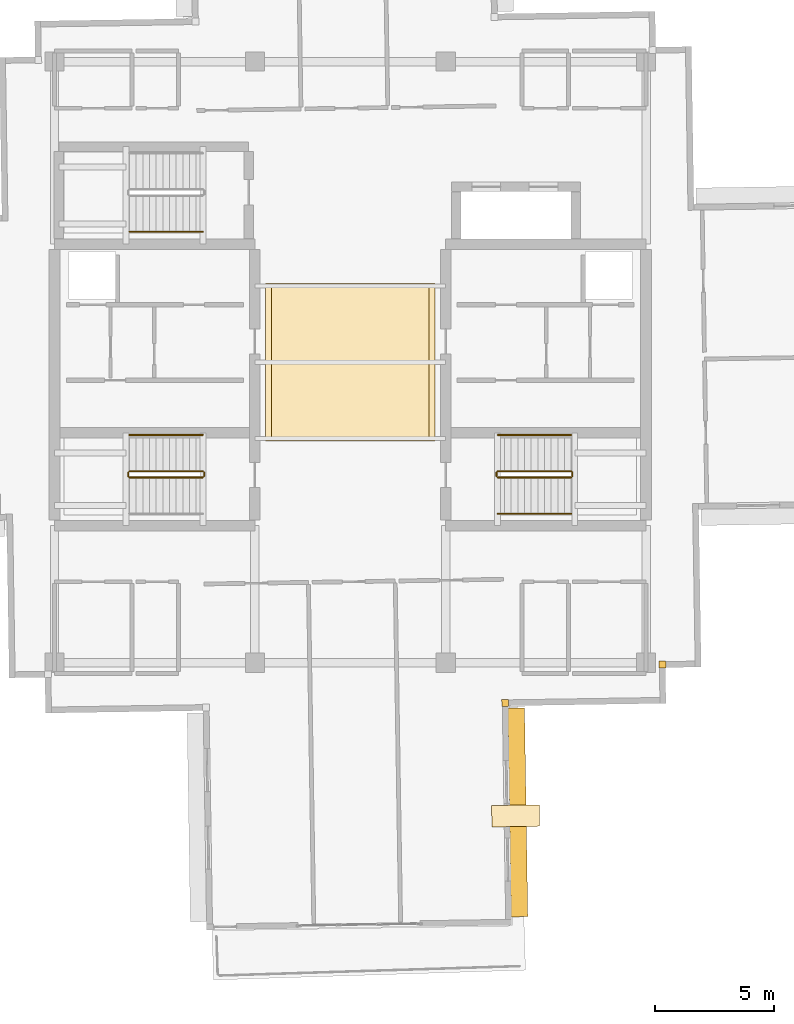
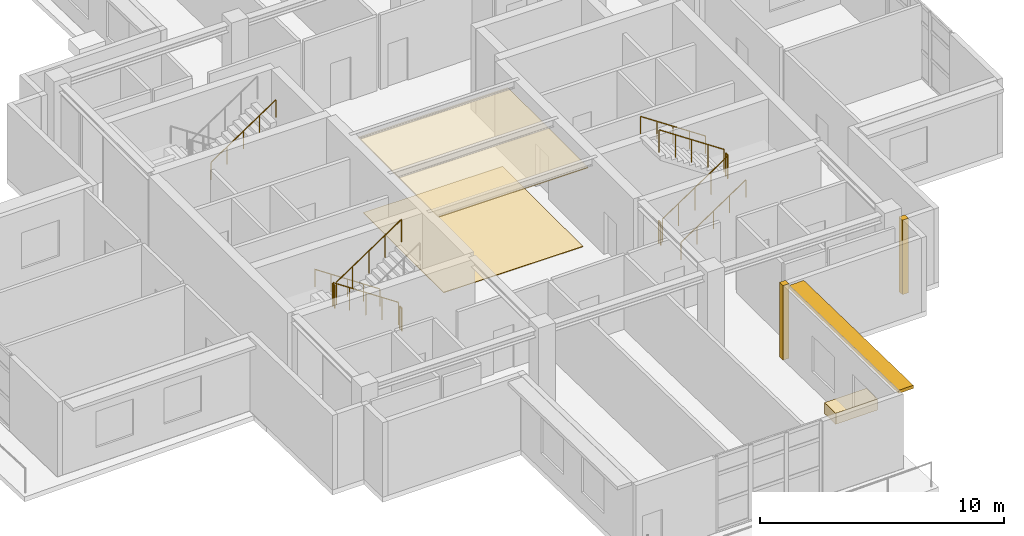
# One storey, part 15 of 18: 12 railings, 5 coverings, 1 shading device.
"""IFC4 building model written with IfcOpenShell, lengths in metres."""

from ifc_helpers import new_model, si_unit, direction, frame, origin, origin_with_axes, origin_2d, place, context, subcontext, project, spatial, rectangle, circle, extrude, material, layer, layer_set, type_object, element, save


model = new_model("IFC4")

# Units and contexts
model_context = context("Model", 3, precision=1e-05, world=origin(), true_north=direction((0.0, 1.0)))
body_context = subcontext(model_context, "Body", "Model", "MODEL_VIEW")
ifc_project = project(units=[si_unit("LENGTHUNIT", "METRE"), si_unit("AREAUNIT", "SQUARE_METRE"), si_unit("VOLUMEUNIT", "CUBIC_METRE"), si_unit("PLANEANGLEUNIT", "RADIAN"), si_unit("MASSUNIT", "GRAM", prefix="KILO")], contexts=[model_context])

# Site, building, storey
site_placement = place(None, origin())
site = spatial("IfcSite", under=ifc_project, at=site_placement, CompositionType="ELEMENT")
building_placement = place(site_placement, origin())
building = spatial("IfcBuilding", under=site, at=building_placement, Name="Qingluan Cross Belvedere", CompositionType="ELEMENT")
storey_placement = place(building_placement, frame((0.0, 0.0, 303.89990234375)))
storey = spatial("IfcBuildingStorey", under=building, at=storey_placement, Name="L75", CompositionType="ELEMENT", Elevation=303.89990234375)

# Coverings
ifc_material_1 = material(Name="Perforated gypsum acoustic ceiling board")
ifc_layer_1 = layer(ifc_material_1, 0.0400390625, Name="AcousticLobbyCeiling_40")
ifc_layer_set_1 = layer_set([ifc_layer_1], Name="Perforated gypsum acoustic ceiling board")
covering_type_1 = type_object("IfcCoveringType", Name="AcousticLobbyCeiling_40", PredefinedType="CEILING", material=ifc_layer_set_1)
covering_1_placement = place(storey_placement, frame((0.0, 0.0, 3.860107421875), z_axis=(0.0, 0.0, 1.0), x_axis=(1.0, 0.0, 0.0)))
element("IfcCovering", 1, at=covering_1_placement, inside=storey, type_object=covering_type_1, Name="Central lobby acoustic ceiling L75", PredefinedType="CEILING", context=body_context, shape_type="SweptSolid", body=[
    extrude(rectangle(XDim=7.10009765625, YDim=6.60009765625, at=origin_2d()), origin(), (0.0, 0.0, 1.0), 0.0400390625),
])
ifc_material_2 = material(Name="Precast concrete C45", Category="concrete")
ifc_layer_2 = layer(ifc_material_2, 0.1201171875, Name="ConcreteSpandrelCladding_120")
ifc_layer_set_2 = layer_set([ifc_layer_2], Name="Precast concrete C45")
covering_type_2 = type_object("IfcCoveringType", Name="ConcreteSpandrelCladding_120", PredefinedType="CLADDING", material=ifc_layer_set_2)
for number, where, z_axis, x_axis, name in (
    (2, (13.080810546875, -12.676025390625, 0.0), (0.0, 0.0, 1.0), (0.999876632482, 0.015707317312, 0.0), "Corner closure L75-SE1"),
    (3, (6.4951171875, -14.27978515625, 0.0), (0.0, 0.0, 1.0), (0.999876632482, 0.015707317312, 0.0), "Corner closure L75-SE2"),
):
    element("IfcCovering", number, at=place(storey_placement, frame(where, z_axis=z_axis, x_axis=x_axis)), inside=storey, type_object=covering_type_2, Name=name, PredefinedType="CLADDING", context=body_context, shape_type="SweptSolid", body=[
        extrude(rectangle(XDim=0.2900390625, YDim=0.2900390625, at=origin_2d()), origin(), (0.0, 0.0, 1.0), 3.72998046875),
    ])

# Shading device
ifc_material_3 = material(Name="Precast concrete C45", Category="concrete")
ifc_layer_3 = layer(ifc_material_3, 0.139892578125, Name="ConcreteSunshadeBand_700")
ifc_layer_set_3 = layer_set([ifc_layer_3], Name="Precast concrete C45")
shading_device_type = type_object("IfcShadingDeviceType", Name="ConcreteSunshadeBand_700", PredefinedType="USERDEFINED", material=ifc_layer_set_3)
shading_device_placement = place(storey_placement, frame((7.022216796875, -18.8720703125, 3.55029296875), z_axis=(0.0, 0.0, 1.0), x_axis=(-0.01569831898, 0.999876773798, 0.0)))
element("IfcShadingDevice", 4, at=shading_device_placement, inside=storey, type_object=shading_device_type, Name="Concrete SUNSHADE L75-SB", ObjectType="SUNSHADE", PredefinedType="USERDEFINED", context=body_context, shape_type="SweptSolid", body=[
    extrude(rectangle(XDim=8.75, YDim=0.699951171875, at=origin_2d()), origin(), (0.0, 0.0, 1.0), 0.159912109375),
])

# Covering
ifc_material_4 = material(Name="Honed Hubei grey granite stone flooring", Category="masonry")
ifc_layer_4 = layer(ifc_material_4, 0.030029296875, Name="GraniteLobbyFlooring_30")
ifc_layer_set_4 = layer_set([ifc_layer_4], Name="Honed Hubei grey granite stone flooring")
covering_type_3 = type_object("IfcCoveringType", Name="GraniteLobbyFlooring_30", PredefinedType="FLOORING", material=ifc_layer_set_4)
covering_2_placement = place(storey_placement, origin_with_axes())
element("IfcCovering", 5, at=covering_2_placement, inside=storey, type_object=covering_type_3, Name="Central lobby granite flooring L75", PredefinedType="FLOORING", context=body_context, shape_type="SweptSolid", body=[
    extrude(rectangle(XDim=6.60009765625, YDim=6.60009765625, at=origin_2d()), origin(), (0.0, 0.0, 1.0), 0.030029296875),
])

# Railings
ifc_material_5 = material(Name="Brushed stainless steel tubular handrail", Category="steel")
railing_type_1 = type_object("IfcRailingType", Name="StairPitchHandrail_900", PredefinedType="HANDRAIL", material=ifc_material_5)
railing_1_placement = place(storey_placement, frame((-6.179931640625, -3.050048828125, 0.1875)))
element("IfcRailing", 6, at=railing_1_placement, inside=storey, type_object=railing_type_1, Name="L75 ST1 stair handrail 1", PredefinedType="HANDRAIL", context=body_context, shape_type="SweptSolid", body=[
    extrude(circle(Radius=0.02392578125, at=origin_2d()), frame((0.0, 0.0, 0.8759765625), z_axis=(-0.830913701846, 0.0, 0.55640131208), x_axis=(0.0, -1.0, 0.0)), (0.0, 0.0, 1.0), 3.706787109375),
    extrude(circle(Radius=0.02099609375, at=origin_2d()), origin(), (0.0, 0.0, 1.0), 0.851806640625),
    extrude(circle(Radius=0.02099609375, at=origin_2d()), frame((-0.77001953125, 0.0, 0.515625)), (0.0, 0.0, 1.0), 0.851806640625),
    extrude(circle(Radius=0.02099609375, at=origin_2d()), frame((-1.5400390625, 0.0, 1.03125)), (0.0, 0.0, 1.0), 0.851806640625),
    extrude(circle(Radius=0.02099609375, at=origin_2d()), frame((-2.31005859375, 0.0, 1.546875)), (0.0, 0.0, 1.0), 0.851806640625),
    extrude(circle(Radius=0.02099609375, at=origin_2d()), frame((-3.080078125, 0.0, 2.0625)), (0.0, 0.0, 1.0), 0.851806640625),
])
railing_2_placement = place(storey_placement, frame((6.179931640625, -6.35009765625, 0.1875)))
element("IfcRailing", 7, at=railing_2_placement, inside=storey, type_object=railing_type_1, Name="L75 ST2 stair handrail 1", PredefinedType="HANDRAIL", context=body_context, shape_type="SweptSolid", body=[
    extrude(circle(Radius=0.02392578125, at=origin_2d()), frame((0.0, 0.0, 0.8759765625), z_axis=(0.830913701846, 0.0, 0.55640131208), x_axis=(0.0, 1.0, 0.0)), (0.0, 0.0, 1.0), 3.706787109375),
    extrude(circle(Radius=0.02099609375, at=origin_2d()), origin(), (0.0, 0.0, 1.0), 0.851806640625),
    extrude(circle(Radius=0.02099609375, at=origin_2d()), frame((0.77001953125, 0.0, 0.515625)), (0.0, 0.0, 1.0), 0.851806640625),
    extrude(circle(Radius=0.02099609375, at=origin_2d()), frame((1.5400390625, 0.0, 1.03125)), (0.0, 0.0, 1.0), 0.851806640625),
    extrude(circle(Radius=0.02099609375, at=origin_2d()), frame((2.31005859375, 0.0, 1.546875)), (0.0, 0.0, 1.0), 0.851806640625),
    extrude(circle(Radius=0.02099609375, at=origin_2d()), frame((3.080078125, 0.0, 2.0625)), (0.0, 0.0, 1.0), 0.851806640625),
])
railing_3_placement = place(storey_placement, frame((9.260009765625, -3.050048828125, 2.4375)))
element("IfcRailing", 8, at=railing_3_placement, inside=storey, type_object=railing_type_1, Name="L75 ST2 stair handrail 2", PredefinedType="HANDRAIL", context=body_context, shape_type="SweptSolid", body=[
    extrude(circle(Radius=0.02392578125, at=origin_2d()), frame((0.0, 0.0, 0.8759765625), z_axis=(-0.830913701846, 0.0, 0.55640131208), x_axis=(0.0, -1.0, 0.0)), (0.0, 0.0, 1.0), 3.706787109375),
    extrude(circle(Radius=0.02099609375, at=origin_2d()), origin(), (0.0, 0.0, 1.0), 0.851806640625),
    extrude(circle(Radius=0.02099609375, at=origin_2d()), frame((-0.77001953125, 0.0, 0.515625)), (0.0, 0.0, 1.0), 0.851806640625),
    extrude(circle(Radius=0.02099609375, at=origin_2d()), frame((-1.5400390625, 0.0, 1.03125)), (0.0, 0.0, 1.0), 0.851806640625),
    extrude(circle(Radius=0.02099609375, at=origin_2d()), frame((-2.31005859375, 0.0, 1.546875)), (0.0, 0.0, 1.0), 0.851806640625),
    extrude(circle(Radius=0.02099609375, at=origin_2d()), frame((-3.080078125, 0.0, 2.0625)), (0.0, 0.0, 1.0), 0.851806640625),
])
railing_4_placement = place(storey_placement, frame((-9.260009765625, 5.469970703125, 2.4375)))
element("IfcRailing", 9, at=railing_4_placement, inside=storey, type_object=railing_type_1, Name="L75 ST3 stair handrail 2", PredefinedType="HANDRAIL", context=body_context, shape_type="SweptSolid", body=[
    extrude(circle(Radius=0.02392578125, at=origin_2d()), frame((0.0, 0.0, 0.8759765625), z_axis=(0.830913701846, 0.0, 0.55640131208), x_axis=(0.0, 1.0, 0.0)), (0.0, 0.0, 1.0), 3.706787109375),
    extrude(circle(Radius=0.02099609375, at=origin_2d()), origin(), (0.0, 0.0, 1.0), 0.851806640625),
    extrude(circle(Radius=0.02099609375, at=origin_2d()), frame((0.77001953125, 0.0, 0.515625)), (0.0, 0.0, 1.0), 0.851806640625),
    extrude(circle(Radius=0.02099609375, at=origin_2d()), frame((1.5400390625, 0.0, 1.03125)), (0.0, 0.0, 1.0), 0.851806640625),
    extrude(circle(Radius=0.02099609375, at=origin_2d()), frame((2.31005859375, 0.0, 1.546875)), (0.0, 0.0, 1.0), 0.851806640625),
    extrude(circle(Radius=0.02099609375, at=origin_2d()), frame((3.080078125, 0.0, 2.0625)), (0.0, 0.0, 1.0), 0.851806640625),
])
ifc_material_6 = material(Name="Painted steel stair well guard", Category="steel")
railing_type_2 = type_object("IfcRailingType", Name="StairWellGuard_1150", PredefinedType="BALUSTRADE", material=ifc_material_6)
railing_5_placement = place(storey_placement, frame((-6.179931640625, -4.570068359375, 0.1875)))
element("IfcRailing", 10, at=railing_5_placement, inside=storey, type_object=railing_type_2, Name="L75 ST1 stair guard 1", PredefinedType="BALUSTRADE", context=body_context, shape_type="SweptSolid", body=[
    extrude(circle(Radius=0.02392578125, at=origin_2d()), frame((0.0, 0.0, 1.1259765625), z_axis=(-0.830913701846, 0.0, 0.55640131208), x_axis=(0.0, -1.0, 0.0)), (0.0, 0.0, 1.0), 3.706787109375),
    extrude(circle(Radius=0.02099609375, at=origin_2d()), origin(), (0.0, 0.0, 1.0), 1.101806640625),
    extrude(circle(Radius=0.02099609375, at=origin_2d()), frame((-0.77001953125, 0.0, 0.515625)), (0.0, 0.0, 1.0), 1.101806640625),
    extrude(circle(Radius=0.02099609375, at=origin_2d()), frame((-1.5400390625, 0.0, 1.03125)), (0.0, 0.0, 1.0), 1.101806640625),
    extrude(circle(Radius=0.02099609375, at=origin_2d()), frame((-2.31005859375, 0.0, 1.546875)), (0.0, 0.0, 1.0), 1.101806640625),
    extrude(circle(Radius=0.02099609375, at=origin_2d()), frame((-3.080078125, 0.0, 2.0625)), (0.0, 0.0, 1.0), 1.101806640625),
])
railing_6_placement = place(storey_placement, frame((-9.31005859375, -4.6201171875, 2.25)))
element("IfcRailing", 11, at=railing_6_placement, inside=storey, type_object=railing_type_2, Name="L75 ST1 stair guard 2", PredefinedType="BALUSTRADE", context=body_context, shape_type="SweptSolid", body=[
    extrude(circle(Radius=0.02392578125, at=origin_2d()), frame((0.0, 0.0, 1.1259765625), z_axis=(0.0, -1.0, 0.0), x_axis=(1.0, 0.0, 0.0)), (0.0, 0.0, 1.0), 0.159912109375),
    extrude(circle(Radius=0.02099609375, at=origin_2d()), origin(), (0.0, 0.0, 1.0), 1.101806640625),
    extrude(circle(Radius=0.02099609375, at=origin_2d()), frame((0.0, -0.159912109375, 0.0)), (0.0, 0.0, 1.0), 1.101806640625),
])
railing_7_placement = place(storey_placement, frame((-9.260009765625, -4.830078125, 2.4375)))
element("IfcRailing", 12, at=railing_7_placement, inside=storey, type_object=railing_type_2, Name="L75 ST1 stair guard 3", PredefinedType="BALUSTRADE", context=body_context, shape_type="SweptSolid", body=[
    extrude(circle(Radius=0.02392578125, at=origin_2d()), frame((0.0, 0.0, 1.1259765625), z_axis=(0.830913701846, 0.0, 0.55640131208), x_axis=(0.0, 1.0, 0.0)), (0.0, 0.0, 1.0), 3.706787109375),
    extrude(circle(Radius=0.02099609375, at=origin_2d()), origin(), (0.0, 0.0, 1.0), 1.101806640625),
    extrude(circle(Radius=0.02099609375, at=origin_2d()), frame((0.77001953125, 0.0, 0.515625)), (0.0, 0.0, 1.0), 1.101806640625),
    extrude(circle(Radius=0.02099609375, at=origin_2d()), frame((1.5400390625, 0.0, 1.03125)), (0.0, 0.0, 1.0), 1.101806640625),
    extrude(circle(Radius=0.02099609375, at=origin_2d()), frame((2.31005859375, 0.0, 1.546875)), (0.0, 0.0, 1.0), 1.101806640625),
    extrude(circle(Radius=0.02099609375, at=origin_2d()), frame((3.080078125, 0.0, 2.0625)), (0.0, 0.0, 1.0), 1.101806640625),
])
railing_8_placement = place(storey_placement, frame((-6.1298828125, -4.6201171875, 0.0)))
element("IfcRailing", 13, at=railing_8_placement, inside=storey, type_object=railing_type_2, Name="L75 ST1 stair guard 4", PredefinedType="BALUSTRADE", context=body_context, shape_type="SweptSolid", body=[
    extrude(circle(Radius=0.02392578125, at=origin_2d()), frame((0.0, 0.0, 1.1259765625), z_axis=(0.0, -1.0, 0.0), x_axis=(1.0, 0.0, 0.0)), (0.0, 0.0, 1.0), 0.159912109375),
    extrude(circle(Radius=0.02099609375, at=origin_2d()), origin(), (0.0, 0.0, 1.0), 1.101806640625),
    extrude(circle(Radius=0.02099609375, at=origin_2d()), frame((0.0, -0.159912109375, 0.0)), (0.0, 0.0, 1.0), 1.101806640625),
])
railing_9_placement = place(storey_placement, frame((6.179931640625, -4.830078125, 0.1875)))
element("IfcRailing", 14, at=railing_9_placement, inside=storey, type_object=railing_type_2, Name="L75 ST2 stair guard 1", PredefinedType="BALUSTRADE", context=body_context, shape_type="SweptSolid", body=[
    extrude(circle(Radius=0.02392578125, at=origin_2d()), frame((0.0, 0.0, 1.1259765625), z_axis=(0.830913701846, 0.0, 0.55640131208), x_axis=(0.0, 1.0, 0.0)), (0.0, 0.0, 1.0), 3.706787109375),
    extrude(circle(Radius=0.02099609375, at=origin_2d()), origin(), (0.0, 0.0, 1.0), 1.101806640625),
    extrude(circle(Radius=0.02099609375, at=origin_2d()), frame((0.77001953125, 0.0, 0.515625)), (0.0, 0.0, 1.0), 1.101806640625),
    extrude(circle(Radius=0.02099609375, at=origin_2d()), frame((1.5400390625, 0.0, 1.03125)), (0.0, 0.0, 1.0), 1.101806640625),
    extrude(circle(Radius=0.02099609375, at=origin_2d()), frame((2.31005859375, 0.0, 1.546875)), (0.0, 0.0, 1.0), 1.101806640625),
    extrude(circle(Radius=0.02099609375, at=origin_2d()), frame((3.080078125, 0.0, 2.0625)), (0.0, 0.0, 1.0), 1.101806640625),
])
railing_10_placement = place(storey_placement, frame((9.31005859375, -4.780029296875, 2.25)))
element("IfcRailing", 15, at=railing_10_placement, inside=storey, type_object=railing_type_2, Name="L75 ST2 stair guard 2", PredefinedType="BALUSTRADE", context=body_context, shape_type="SweptSolid", body=[
    extrude(circle(Radius=0.02392578125, at=origin_2d()), frame((0.0, 0.0, 1.1259765625), z_axis=(0.0, 1.0, 0.0), x_axis=(-1.0, 0.0, 0.0)), (0.0, 0.0, 1.0), 0.159912109375),
    extrude(circle(Radius=0.02099609375, at=origin_2d()), origin(), (0.0, 0.0, 1.0), 1.101806640625),
    extrude(circle(Radius=0.02099609375, at=origin_2d()), frame((0.0, 0.159912109375, 0.0)), (0.0, 0.0, 1.0), 1.101806640625),
])
railing_11_placement = place(storey_placement, frame((9.260009765625, -4.570068359375, 2.4375)))
element("IfcRailing", 16, at=railing_11_placement, inside=storey, type_object=railing_type_2, Name="L75 ST2 stair guard 3", PredefinedType="BALUSTRADE", context=body_context, shape_type="SweptSolid", body=[
    extrude(circle(Radius=0.02392578125, at=origin_2d()), frame((0.0, 0.0, 1.1259765625), z_axis=(-0.830913701846, 0.0, 0.55640131208), x_axis=(0.0, -1.0, 0.0)), (0.0, 0.0, 1.0), 3.706787109375),
    extrude(circle(Radius=0.02099609375, at=origin_2d()), origin(), (0.0, 0.0, 1.0), 1.101806640625),
    extrude(circle(Radius=0.02099609375, at=origin_2d()), frame((-0.77001953125, 0.0, 0.515625)), (0.0, 0.0, 1.0), 1.101806640625),
    extrude(circle(Radius=0.02099609375, at=origin_2d()), frame((-1.5400390625, 0.0, 1.03125)), (0.0, 0.0, 1.0), 1.101806640625),
    extrude(circle(Radius=0.02099609375, at=origin_2d()), frame((-2.31005859375, 0.0, 1.546875)), (0.0, 0.0, 1.0), 1.101806640625),
    extrude(circle(Radius=0.02099609375, at=origin_2d()), frame((-3.080078125, 0.0, 2.0625)), (0.0, 0.0, 1.0), 1.101806640625),
])
railing_12_placement = place(storey_placement, frame((6.1298828125, -4.780029296875, 0.0)))
element("IfcRailing", 17, at=railing_12_placement, inside=storey, type_object=railing_type_2, Name="L75 ST2 stair guard 4", PredefinedType="BALUSTRADE", context=body_context, shape_type="SweptSolid", body=[
    extrude(circle(Radius=0.02392578125, at=origin_2d()), frame((0.0, 0.0, 1.1259765625), z_axis=(0.0, 1.0, 0.0), x_axis=(-1.0, 0.0, 0.0)), (0.0, 0.0, 1.0), 0.159912109375),
    extrude(circle(Radius=0.02099609375, at=origin_2d()), origin(), (0.0, 0.0, 1.0), 1.101806640625),
    extrude(circle(Radius=0.02099609375, at=origin_2d()), frame((0.0, 0.159912109375, 0.0)), (0.0, 0.0, 1.0), 1.101806640625),
])

# Covering
ifc_material_7 = material(Name="Precast concrete C40", Category="concrete")
ifc_layer_5 = layer(ifc_material_7, 0.550048828125, Name="TerracePlanterBox")
ifc_layer_set_5 = layer_set([ifc_layer_5], Name="Precast concrete C40")
covering_type_4 = type_object("IfcCoveringType", Name="TerracePlanterBox", PredefinedType="USERDEFINED", material=ifc_layer_set_5)
covering_3_placement = place(storey_placement, frame((6.929931640625, -19.01708984375, 0.0), z_axis=(0.0, 0.0, 1.0), x_axis=(0.999876632482, 0.015707317312, 0.0)))
element("IfcCovering", 18, at=covering_3_placement, inside=storey, type_object=covering_type_4, Name="Terrace garden planter L75-3", ObjectType="PLANTER", PredefinedType="USERDEFINED", context=body_context, shape_type="SweptSolid", body=[
    extrude(rectangle(XDim=2.0, YDim=0.89990234375, at=origin_2d()), origin(), (0.0, 0.0, 1.0), 0.550048828125),
])

save(model, "model.ifc")
